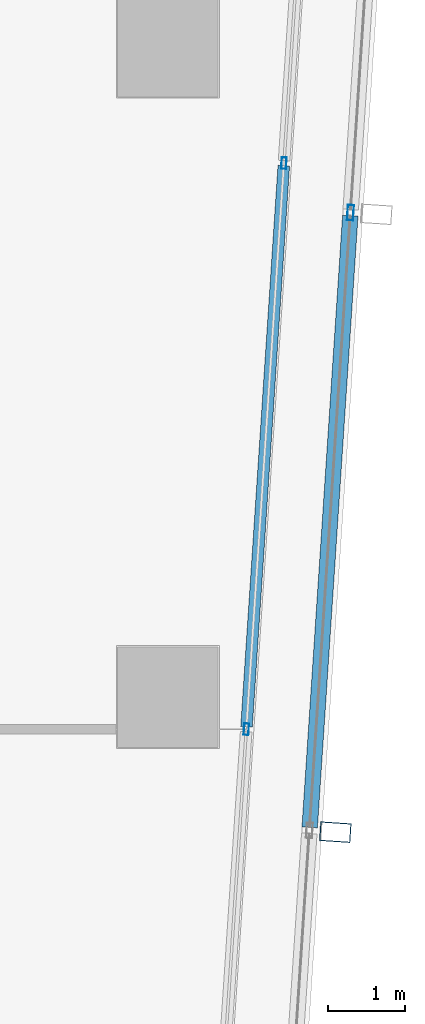
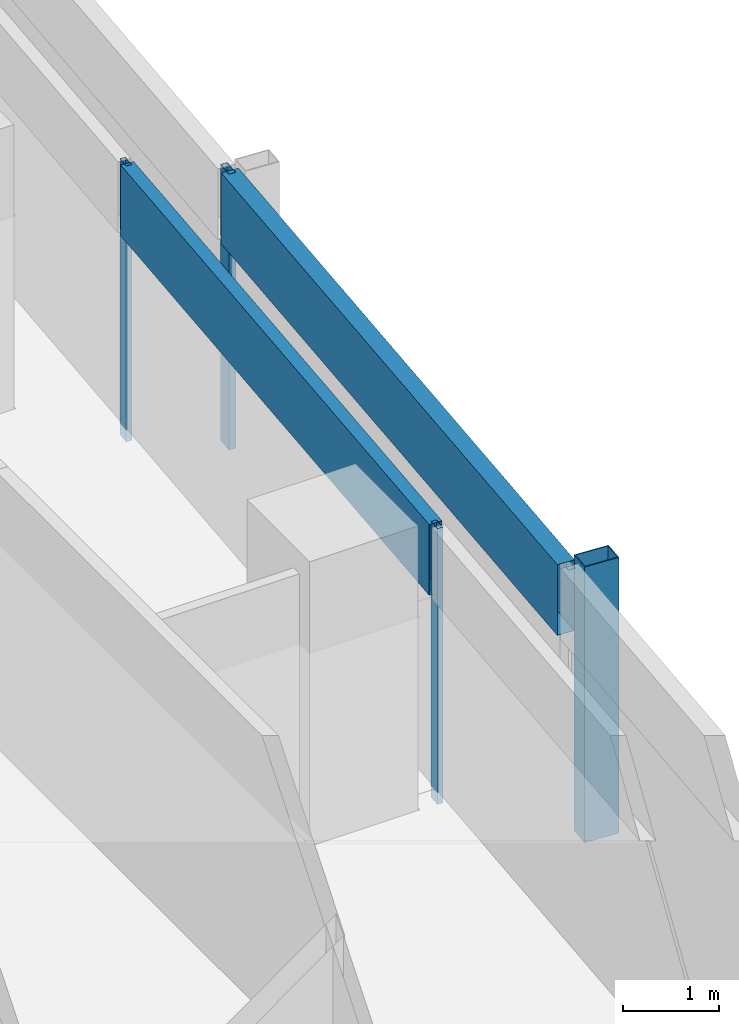
# One storey, part 12 of 29: 6 members, 2 elements without a shape of their own.
"""IFC4 building model written with IfcOpenShell, lengths in metres."""

from ifc_helpers import new_model, si_unit, direction, frame, origin, origin_2d, place, context, subcontext, project, spatial, hollow_rectangle, extrude, material, material_profile, profile_set, type_object, element, aggregate, save


model = new_model("IFC4")

# Units and contexts
model_context = context("Model", 3, precision=1e-05, world=origin(), true_north=direction((0.0, 1.0)))
body_context = subcontext(model_context, "Body", "Model", "MODEL_VIEW")
ifc_project = project(units=[si_unit("LENGTHUNIT", "METRE"), si_unit("AREAUNIT", "SQUARE_METRE"), si_unit("VOLUMEUNIT", "CUBIC_METRE"), si_unit("PLANEANGLEUNIT", "RADIAN"), si_unit("MASSUNIT", "GRAM", prefix="KILO")], contexts=[model_context])

# Site, building, storey
site_placement = place(None, origin())
site = spatial("IfcSite", under=ifc_project, at=site_placement, CompositionType="ELEMENT")
building_placement = place(site_placement, origin())
building = spatial("IfcBuilding", under=site, at=building_placement, Name="Rekha Terrace Tower", CompositionType="ELEMENT")
storey_placement = place(building_placement, frame((0.0, 0.0, 257.60009765625)))
storey = spatial("IfcBuildingStorey", under=building, at=storey_placement, Name="L65", CompositionType="ELEMENT", Elevation=257.60009765625)

# Curtain wall, member
ifc_material_1 = material(Name="Aluminium framing", Category="aluminium")
curtain_wall_type_1 = type_object("IfcCurtainWallType", Name="CW2 double skin outer glazing", PredefinedType="USERDEFINED", material=ifc_material_1)
curtain_wall_1_placement = place(storey_placement, origin())
curtain_wall_1 = element("IfcCurtainWall", 1, at=curtain_wall_1_placement, inside=storey, type_object=curtain_wall_type_1, Name="CW2 double skin outer glazing", ObjectType="DOUBLE SKIN OUTER GLAZING", PredefinedType="USERDEFINED")
ifc_material_2 = material(Name="Steel S355 with fluorocarbon finish", Category="steel")
ifc_material_profile_1 = material_profile(ifc_material_2, hollow_rectangle(XDim=0.25, YDim=0.39990234375, WallThickness=0.012451171875, at=origin_2d()), Name="RHS400x250x12.5")
ifc_profile_set_1 = profile_set([ifc_material_profile_1], Name="Steel S355 with fluorocarbon finish")
member_type_1 = type_object("IfcMemberType", Name="BL1 facade blade RHS 400 x 250", PredefinedType="USERDEFINED", material=ifc_profile_set_1)
member_1_placement = place(storey_placement, frame((60.9638671875, 23.45751953125, 0.0), z_axis=(0.0, 0.0, 1.0), x_axis=(0.066272158908, 0.99780158396, 0.0)))
member_1 = element("IfcMember", 2, at=member_1_placement, type_object=member_type_1, Name="Facade blade", ObjectType="FACADE BLADE", PredefinedType="USERDEFINED", context=body_context, shape_type="SweptSolid", body=[
    extrude(hollow_rectangle(XDim=0.25, YDim=0.39990234375, WallThickness=0.012451171875, at=origin_2d()), origin(), (0.0, 0.0, 1.0), 3.5),
])

# Curtain wall, members
curtain_wall_type_2 = type_object("IfcCurtainWallType", Name="CW1 double skin inner glazing", PredefinedType="USERDEFINED", material=ifc_material_1)
curtain_wall_2_placement = place(storey_placement, origin())
curtain_wall_2 = element("IfcCurtainWall", 3, at=curtain_wall_2_placement, inside=storey, type_object=curtain_wall_type_2, Name="CW1 double skin inner glazing", ObjectType="DOUBLE SKIN INNER GLAZING", PredefinedType="USERDEFINED")
ifc_material_3 = material(Name="Aluminium mullion section", Category="aluminium")
ifc_material_profile_2 = material_profile(ifc_material_3, hollow_rectangle(XDim=0.06494140625, YDim=0.14990234375, WallThickness=0.00390625, at=origin_2d()), Name="AL RHS 65x150")
ifc_profile_set_2 = profile_set([ifc_material_profile_2], Name="Aluminium mullion section")
member_type_2 = type_object("IfcMemberType", Name="CW1 mullion RHS 65 x 150", PredefinedType="MULLION", material=ifc_profile_set_2)
member_2_placement = place(storey_placement, frame((59.814453125, 24.78662109375, 0.0), z_axis=(0.0, 0.0, 1.0), x_axis=(-0.997801621769, 0.066271589649, 0.0)))
member_2 = element("IfcMember", 4, at=member_2_placement, type_object=member_type_2, Name="CW1 mullion 2", PredefinedType="MULLION", context=body_context, shape_type="SweptSolid", body=[
    extrude(hollow_rectangle(XDim=0.06494140625, YDim=0.14990234375, WallThickness=0.00390625, at=origin_2d()), origin(), (0.0, 0.0, 1.0), 3.5),
])
member_3_placement = place(storey_placement, frame((60.300048828125, 32.0966796875, 0.0), z_axis=(0.0, 0.0, 1.0), x_axis=(-0.997801621769, 0.066271589649, 0.0)))
member_3 = element("IfcMember", 5, at=member_3_placement, type_object=member_type_2, Name="CW1 mullion 3", PredefinedType="MULLION", context=body_context, shape_type="SweptSolid", body=[
    extrude(hollow_rectangle(XDim=0.06494140625, YDim=0.14990234375, WallThickness=0.00390625, at=origin_2d()), origin(), (0.0, 0.0, 1.0), 3.5),
])
ifc_material_4 = material(Name="Insulated aluminium spandrel box", Category="aluminium")
ifc_material_profile_3 = material_profile(ifc_material_4, hollow_rectangle(XDim=0.14990234375, YDim=0.89990234375, WallThickness=0.0029296875, at=origin_2d()), Name="AL SPANDREL BOX 150x900")
ifc_profile_set_3 = profile_set([ifc_material_profile_3], Name="Insulated aluminium spandrel box")
member_type_3 = type_object("IfcMemberType", Name="CW1 spandrel transom 150 x 900", PredefinedType="USERDEFINED", material=ifc_profile_set_3)
member_4_placement = place(storey_placement, frame((59.816650390625, 24.81884765625, 3.0498046875), z_axis=(0.066266851431, 0.997801936459, 0.0), x_axis=(-0.997801936459, 0.066266851431, 0.0)))
member_4 = element("IfcMember", 6, at=member_4_placement, type_object=member_type_3, Name="CW1 spandrel transom 2", ObjectType="TRANSOM", PredefinedType="USERDEFINED", context=body_context, shape_type="SweptSolid", body=[
    extrude(hollow_rectangle(XDim=0.14990234375, YDim=0.89990234375, WallThickness=0.0029296875, at=origin_2d()), origin(), (0.0, 0.0, 1.0), 7.261474609375),
])
aggregate(curtain_wall_2, [member_2, member_3, member_4])

# Member
ifc_material_profile_4 = material_profile(ifc_material_3, hollow_rectangle(XDim=0.080078125, YDim=0.199951171875, WallThickness=0.00390625, at=origin_2d()), Name="AL RHS 80x200")
ifc_profile_set_4 = profile_set([ifc_material_profile_4], Name="Aluminium mullion section")
member_type_4 = type_object("IfcMemberType", Name="CW2 mullion RHS 80 x 200", PredefinedType="MULLION", material=ifc_profile_set_4)
member_5_placement = place(storey_placement, frame((61.159423828125, 31.457275390625, 0.0), z_axis=(0.0, 0.0, 1.0), x_axis=(-0.997801621769, 0.066271589649, 0.0)))
member_5 = element("IfcMember", 7, at=member_5_placement, type_object=member_type_4, Name="CW2 mullion 3", PredefinedType="MULLION", context=body_context, shape_type="SweptSolid", body=[
    extrude(hollow_rectangle(XDim=0.080078125, YDim=0.199951171875, WallThickness=0.00390625, at=origin_2d()), origin(), (0.0, 0.0, 1.0), 3.5),
])

ifc_material_profile_5 = material_profile(ifc_material_4, hollow_rectangle(XDim=0.199951171875, YDim=0.89990234375, WallThickness=0.0029296875, at=origin_2d()), Name="AL SPANDREL BOX 200x900")
ifc_profile_set_5 = profile_set([ifc_material_profile_5], Name="Insulated aluminium spandrel box")
member_type_5 = type_object("IfcMemberType", Name="CW2 spandrel transom 200 x 900", PredefinedType="USERDEFINED", material=ifc_profile_set_5)
member_6_placement = place(storey_placement, frame((60.63232421875, 23.51953125, 3.0498046875), z_axis=(0.066252876442, 0.997802864479, 0.0), x_axis=(-0.997802864479, 0.066252876442, 0.0)))
member_6 = element("IfcMember", 8, at=member_6_placement, type_object=member_type_5, Name="CW2 spandrel transom 2", ObjectType="TRANSOM", PredefinedType="USERDEFINED", context=body_context, shape_type="SweptSolid", body=[
    extrude(hollow_rectangle(XDim=0.199951171875, YDim=0.89990234375, WallThickness=0.0029296875, at=origin_2d()), origin(), (0.0, 0.0, 1.0), 7.915283203125),
])

aggregate(curtain_wall_1, [member_5, member_6, member_1])

save(model, "model.ifc")
